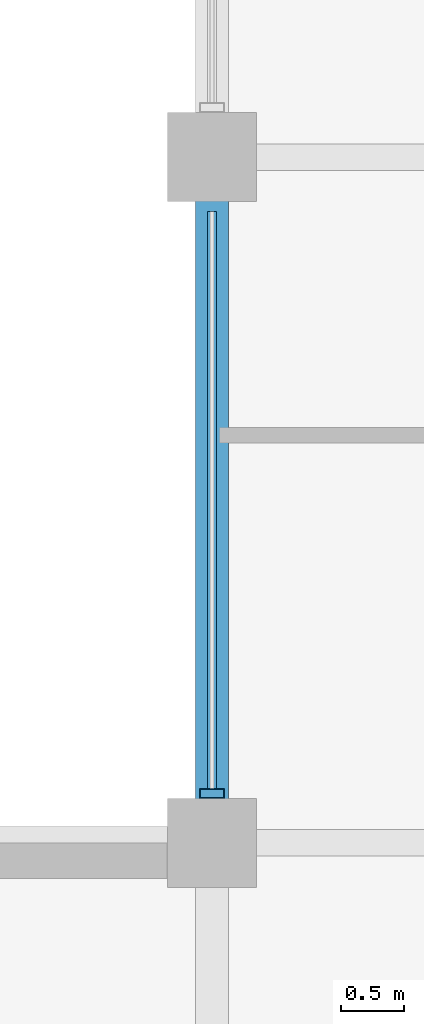
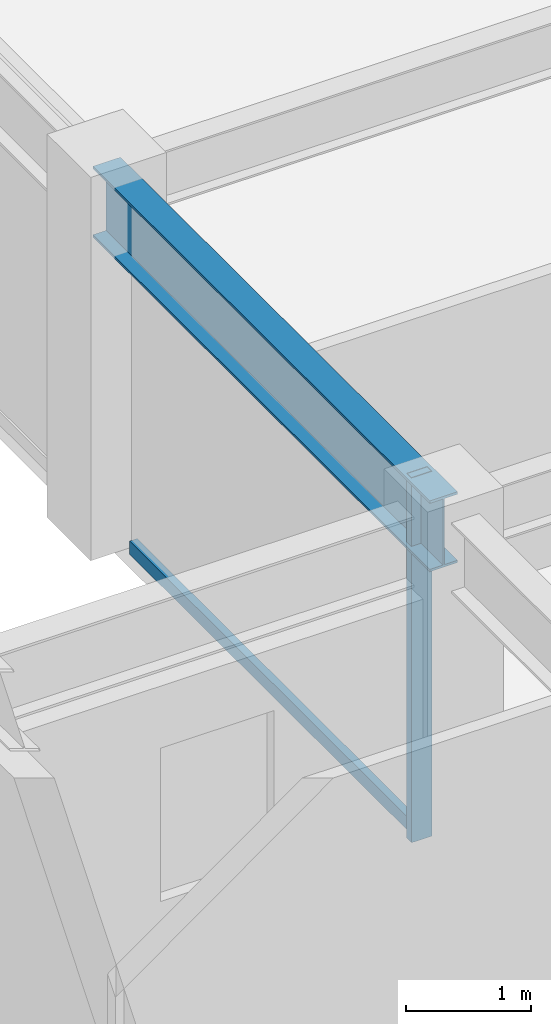
# One storey, part 7 of 31: 2 members, 1 beam, 1 element without a shape of its own.
"""IFC4 building model written with IfcOpenShell, lengths in metres."""

from ifc_helpers import new_model, si_unit, direction, frame, origin, origin_2d, place, context, subcontext, project, spatial, hollow_rectangle, i_section, extrude, material, layer, layer_set, material_profile, profile_set, type_object, element, aggregate, save


model = new_model("IFC4")

# Units and contexts
model_context = context("Model", 3, precision=1e-05, world=origin(), true_north=direction((0.0, 1.0)))
body_context = subcontext(model_context, "Body", "Model", "MODEL_VIEW")
ifc_project = project(units=[si_unit("LENGTHUNIT", "METRE"), si_unit("AREAUNIT", "SQUARE_METRE"), si_unit("VOLUMEUNIT", "CUBIC_METRE"), si_unit("PLANEANGLEUNIT", "RADIAN"), si_unit("MASSUNIT", "GRAM", prefix="KILO")], contexts=[model_context])

# Site, building, storey
site_placement = place(None, origin())
site = spatial("IfcSite", under=ifc_project, at=site_placement, CompositionType="ELEMENT")
building_placement = place(site_placement, origin())
building = spatial("IfcBuilding", under=site, at=building_placement, Name="Surkhivell Harbour Commons", CompositionType="ELEMENT")
storey_placement = place(building_placement, frame((0.0, 0.0, 318.75)))
storey = spatial("IfcBuildingStorey", under=building, at=storey_placement, Name="L83", CompositionType="ELEMENT", Elevation=318.75)

# Beam
ifc_material_1 = material(Name="Steel S355", Category="steel")
ifc_material_profile_1 = material_profile(ifc_material_1, i_section(OverallWidth=0.256103515625, OverallDepth=0.693115234375, WebThickness=0.014404296875, FlangeThickness=0.023681640625, at=origin_2d()), Name="UB686x254x170")
ifc_profile_set_1 = profile_set([ifc_material_profile_1], Name="Steel S355")
beam_type = type_object("IfcBeamType", Name="BM-SPN-686", PredefinedType="SPANDREL", material=ifc_profile_set_1)
beam_placement = place(storey_placement, frame((-27.0, 5.39990234375, 3.223388671875), z_axis=(0.0, 1.0, 0.0), x_axis=(-1.0, 0.0, 0.0)))
element("IfcBeam", 1, at=beam_placement, inside=storey, type_object=beam_type, Name="L83 Tube Spandrel (-27.0,5.4)", PredefinedType="SPANDREL", context=body_context, shape_type="SweptSolid", body=[
    extrude(i_section(OverallWidth=0.256103515625, OverallDepth=0.693115234375, WebThickness=0.014404296875, FlangeThickness=0.023681640625, at=origin_2d()), origin(), (0.0, 0.0, 1.0), 5.400146484375),
])

# Curtain wall, members
ifc_material_2 = material(Name="Anodised pale-metal aluminium and insulated glazing", Category="aluminium")
ifc_layer = layer(ifc_material_2, 0.175048828125)
ifc_layer_set = layer_set([ifc_layer], Name="Anodised pale-metal aluminium and insulated glazing")
curtain_wall_type = type_object("IfcCurtainWallType", Name="CW-SYS-Z4", PredefinedType="NOTDEFINED", material=ifc_layer_set)
curtain_wall_placement = place(storey_placement, origin())
curtain_wall = element("IfcCurtainWall", 2, at=curtain_wall_placement, inside=storey, type_object=curtain_wall_type, Name="L83 Curtain Wall CW-L83-E12R2", PredefinedType="NOTDEFINED")
ifc_material_3 = material(Name="Anodised pale-metal aluminium alloy 6063-T6", Category="aluminium")
ifc_material_profile_2 = material_profile(ifc_material_3, hollow_rectangle(XDim=0.074951171875, YDim=0.18994140625, WallThickness=0.00390625, at=origin_2d()), Name="ALU-MULL-75x190")
ifc_profile_set_2 = profile_set([ifc_material_profile_2], Name="Anodised pale-metal aluminium alloy 6063-T6")
member_type_1 = type_object("IfcMemberType", Name="CWM-190", PredefinedType="MULLION", material=ifc_profile_set_2)
member_1_placement = place(storey_placement, frame((-27.0, 5.78955078125, 0.0), z_axis=(0.0, 0.0, 1.0), x_axis=(0.0, 1.0, 0.0)))
member_1 = element("IfcMember", 3, at=member_1_placement, type_object=member_type_1, Name="CW-Z4 mullion 1", PredefinedType="MULLION", context=body_context, shape_type="SweptSolid", body=[
    extrude(hollow_rectangle(XDim=0.074951171875, YDim=0.18994140625, WallThickness=0.00390625, at=origin_2d()), origin(), (0.0, 0.0, 1.0), 3.570068359375),
])
ifc_material_4 = material(Name="Champagne anodised aluminium alloy 6063-T6", Category="aluminium")
ifc_material_profile_3 = material_profile(ifc_material_4, hollow_rectangle(XDim=0.070068359375, YDim=0.1298828125, WallThickness=0.00341796875, at=origin_2d()), Name="ALU-TRAN-70x130")
ifc_profile_set_3 = profile_set([ifc_material_profile_3], Name="Champagne anodised aluminium alloy 6063-T6")
member_type_2 = type_object("IfcMemberType", Name="CWT-130", PredefinedType="USERDEFINED", material=ifc_profile_set_3)
member_2_placement = place(storey_placement, frame((-27.0, 5.826904296875, 0.06494140625), z_axis=(0.0, 1.0, 0.0), x_axis=(-1.0, 0.0, 0.0)))
member_2 = element("IfcMember", 4, at=member_2_placement, type_object=member_type_2, Name="CW-Z4 transom 1.1", ObjectType="TRANSOM", PredefinedType="USERDEFINED", context=body_context, shape_type="SweptSolid", body=[
    extrude(hollow_rectangle(XDim=0.070068359375, YDim=0.1298828125, WallThickness=0.00341796875, at=origin_2d()), origin(), (0.0, 0.0, 1.0), 4.546142578125),
])
aggregate(curtain_wall, [member_1, member_2])

save(model, "model.ifc")
